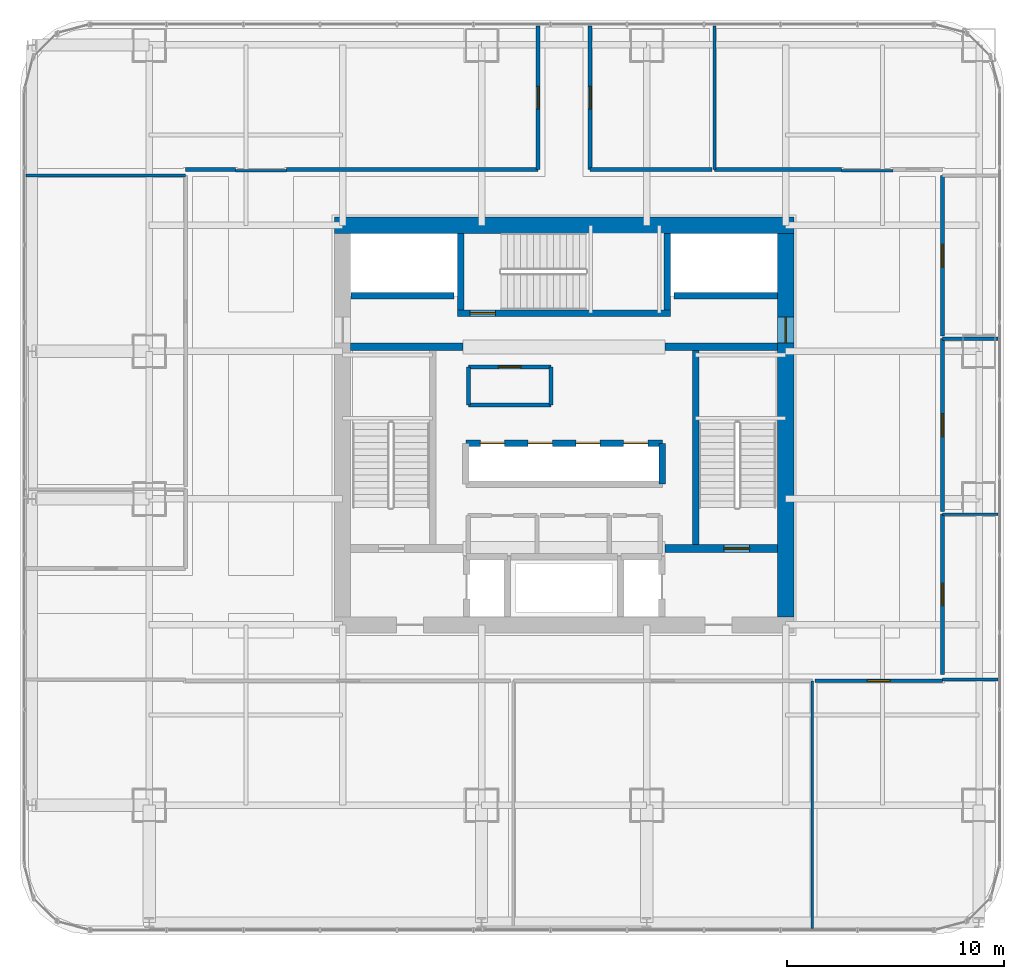
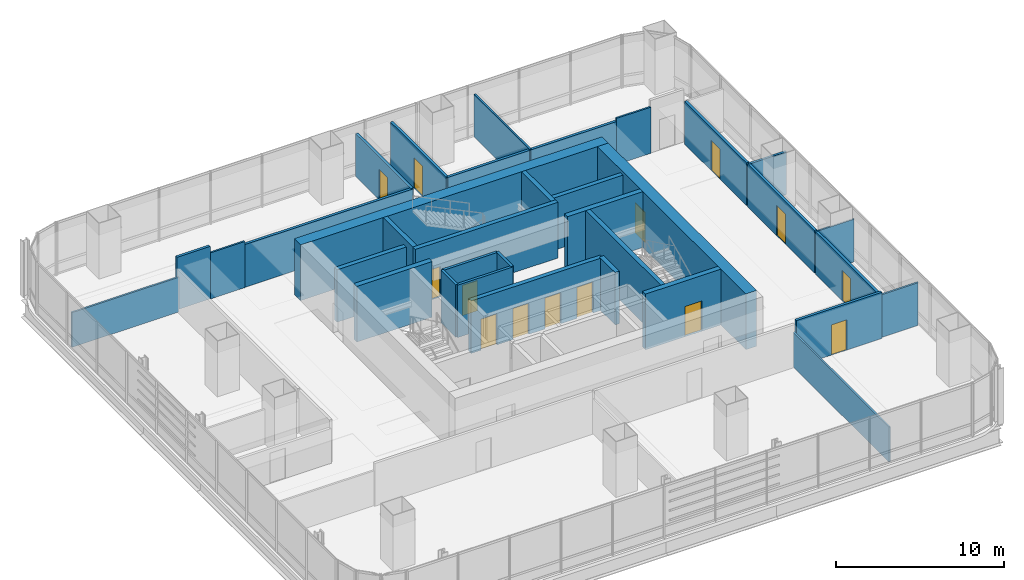
# One storey, part 29 of 36: 35 walls, 14 doors, 14 openings.
"""IFC4 building model written with IfcOpenShell, lengths in metres."""

from ifc_helpers import new_model, si_unit, direction, frame, frame_2d, origin, place, context, subcontext, project, spatial, rectangle, extrude, material, layer, layer_set, type_object, element, fill, save


model = new_model("IFC4")

# Units and contexts
model_context = context("Model", 3, precision=1e-05, world=origin(), true_north=direction((0.0, 1.0)))
body_context = subcontext(model_context, "Body", "Model", "MODEL_VIEW")
ifc_project = project(units=[si_unit("LENGTHUNIT", "METRE"), si_unit("AREAUNIT", "SQUARE_METRE"), si_unit("VOLUMEUNIT", "CUBIC_METRE"), si_unit("PLANEANGLEUNIT", "RADIAN"), si_unit("MASSUNIT", "GRAM", prefix="KILO")], contexts=[model_context])

# Site, building, storey
site_placement = place(None, origin())
site = spatial("IfcSite", under=ifc_project, at=site_placement, CompositionType="ELEMENT")
building_placement = place(site_placement, origin())
building = spatial("IfcBuilding", under=site, at=building_placement, Name="Punatoya Terracotta Tower", CompositionType="ELEMENT")
storey_placement = place(building_placement, frame((0.0, 0.0, 36.300048828125)))
storey = spatial("IfcBuildingStorey", under=building, at=storey_placement, Name="L07", CompositionType="ELEMENT", Elevation=36.300048828125)

# Wall
ifc_material_1 = material(Name="Concrete C60/75", Category="concrete")
ifc_layer_1 = layer(ifc_material_1, 0.75)
ifc_layer_set_1 = layer_set([ifc_layer_1], Name="Concrete C60/75")
wall_type_1 = type_object("IfcWallType", Name="WL-COR-750", PredefinedType="SHEAR", material=ifc_layer_set_1)
wall_1_placement = place(storey_placement, frame((-10.574951171875, 9.199951171875, 0.0), z_axis=(0.0, 0.0, 1.0), x_axis=(1.0, 0.0, 0.0)))
element("IfcWall", 1, at=wall_1_placement, inside=storey, type_object=wall_type_1, Name="L07 Core Shear Wall N", PredefinedType="SHEAR", context=body_context, shape_type="SweptSolid", body=[
    extrude(rectangle(XDim=21.14990234375, YDim=0.75, at=frame_2d((10.574951171875, 0.0))), origin(), (0.0, 0.0, 1.0), 4.050048828125),
])

# Wall, opening, door
wall_2_placement = place(storey_placement, frame((10.199951171875, 8.824951171875, 0.0), z_axis=(0.0, 0.0, 1.0), x_axis=(0.0, -1.0, 0.0)))
wall_2 = element("IfcWall", 2, at=wall_2_placement, inside=storey, type_object=wall_type_1, Name="L07 Core Shear Wall E", PredefinedType="SHEAR", context=body_context, shape_type="SweptSolid", body=[
    extrude(rectangle(XDim=17.64990234375, YDim=0.75, at=frame_2d((8.824951171875, 0.0))), origin(), (0.0, 0.0, 1.0), 4.050048828125),
])
opening_1_placement = place(wall_2_placement, frame((3.85498046875, 0.0, 0.0)))
opening_1 = element("IfcOpeningElement", 3, at=opening_1_placement, cuts=wall_2, Name="Opening SD-01", PredefinedType="OPENING", context=body_context, shape_type="SweptSolid", body=[
    extrude(rectangle(XDim=1.179931640625, YDim=2.199951171875, at=frame_2d((0.58984375, 1.10009765625))), frame((0.0, 0.385009765625, 0.0), z_axis=(0.0, -1.0, 0.0), x_axis=(1.0, 0.0, 0.0)), (0.0, 0.0, 1.0), 0.77001953125),
])
ifc_material_2 = material(Name="Galvanised Steel Pressurized Stair Fire Door", Category="steel")
door_type_1 = type_object("IfcDoorType", Name="DR-STR-1180", OperationType="NOTDEFINED", PredefinedType="DOOR", material=ifc_material_2)
door_1_placement = place(opening_1_placement, origin())
door_1 = element("IfcDoor", 4, at=door_1_placement, inside=storey, type_object=door_type_1, Name="L07 Central Lift Lobby East Fire Door", OperationType="SINGLE_SWING_RIGHT", OverallHeight=2.199951171875, OverallWidth=1.179931640625, PredefinedType="DOOR", context=body_context, shape_type="SweptSolid", body=[
    extrude(rectangle(XDim=1.179931640625, YDim=2.199951171875, at=frame_2d((0.58984375, 1.10009765625))), frame((0.0, 0.02490234375, 0.0), z_axis=(0.0, -1.0, 0.0), x_axis=(1.0, 0.0, 0.0)), (0.0, 0.0, 1.0), 0.050048828125),
])
fill(opening_1, door_1)

# Wall
ifc_material_3 = material(Name="Gypsum Fireboard + Steel Stud", Category="steel")
ifc_layer_2 = layer(ifc_material_3, 0.179931640625)
ifc_layer_set_2 = layer_set([ifc_layer_2], Name="Gypsum Fireboard + Steel Stud")
wall_type_2 = type_object("IfcWallType", Name="WL-CORR-180", PredefinedType="PARTITIONING", material=ifc_layer_set_2)
wall_3_placement = place(storey_placement, frame((-0.60009765625, 0.919921875, 0.0), z_axis=(0.0, 0.0, 1.0), x_axis=(0.0, 1.0, 0.0)))
element("IfcWall", 5, at=wall_3_placement, inside=storey, type_object=wall_type_2, Name="L07 West Core Archive Office Partition 08", PredefinedType="PARTITIONING", context=body_context, shape_type="SweptSolid", body=[
    extrude(rectangle(XDim=1.760009765625, YDim=0.179931640625, at=frame_2d((0.8798828125, 0.0))), origin(), (0.0, 0.0, 1.0), 3.81005859375),
])

# Wall, opening, door
wall_4_placement = place(storey_placement, frame((-0.60009765625, 2.679931640625, 0.0), z_axis=(0.0, 0.0, 1.0), x_axis=(-1.0, 0.0, 0.0)))
wall_4 = element("IfcWall", 6, at=wall_4_placement, inside=storey, type_object=wall_type_2, Name="L07 West Core Archive Office Partition 09", PredefinedType="PARTITIONING", context=body_context, shape_type="SweptSolid", body=[
    extrude(rectangle(XDim=3.7998046875, YDim=0.179931640625, at=frame_2d((1.89990234375, 0.0))), origin(), (0.0, 0.0, 1.0), 3.81005859375),
])
opening_2_placement = place(wall_4_placement, frame((1.375, 0.0, 0.0)))
opening_2 = element("IfcOpeningElement", 7, at=opening_2_placement, cuts=wall_4, Name="Opening OD-01", PredefinedType="OPENING", context=body_context, shape_type="SweptSolid", body=[
    extrude(rectangle(XDim=1.050048828125, YDim=2.199951171875, at=frame_2d((0.52490234375, 1.10009765625))), frame((0.0, 0.099853515625, 0.0), z_axis=(0.0, -1.0, 0.0), x_axis=(1.0, 0.0, 0.0)), (0.0, 0.0, 1.0), 0.199951171875),
])
ifc_material_4 = material(Name="Bengal Teak Solid-Core Leaf")
door_type_2 = type_object("IfcDoorType", Name="DR-OFF-1050", OperationType="NOTDEFINED", PredefinedType="DOOR", material=ifc_material_4)
door_2_placement = place(opening_2_placement, origin())
door_2 = element("IfcDoor", 8, at=door_2_placement, inside=storey, type_object=door_type_2, Name="L07 West Archive Office Door", OperationType="SINGLE_SWING_LEFT", OverallHeight=2.199951171875, OverallWidth=1.050048828125, PredefinedType="DOOR", context=body_context, shape_type="SweptSolid", body=[
    extrude(rectangle(XDim=1.050048828125, YDim=2.199951171875, at=frame_2d((0.52490234375, 1.10009765625))), frame((0.0, 0.02490234375, 0.0), z_axis=(0.0, -1.0, 0.0), x_axis=(1.0, 0.0, 0.0)), (0.0, 0.0, 1.0), 0.050048828125),
])
fill(opening_2, door_2)

# Walls
wall_5_placement = place(storey_placement, frame((-4.39990234375, 2.679931640625, 0.0), z_axis=(0.0, 0.0, 1.0), x_axis=(0.0, -1.0, 0.0)))
element("IfcWall", 9, at=wall_5_placement, inside=storey, type_object=wall_type_2, Name="L07 West Core Archive Office Partition 10", PredefinedType="PARTITIONING", context=body_context, shape_type="SweptSolid", body=[
    extrude(rectangle(XDim=1.760009765625, YDim=0.179931640625, at=frame_2d((0.8798828125, 0.0))), origin(), (0.0, 0.0, 1.0), 3.81005859375),
])
wall_6_placement = place(storey_placement, frame((-4.39990234375, 0.919921875, 0.0), z_axis=(0.0, 0.0, 1.0), x_axis=(1.0, 0.0, 0.0)))
element("IfcWall", 10, at=wall_6_placement, inside=storey, type_object=wall_type_2, Name="L07 West Core Archive Office Partition 11", PredefinedType="PARTITIONING", context=body_context, shape_type="SweptSolid", body=[
    extrude(rectangle(XDim=3.7998046875, YDim=0.179931640625, at=frame_2d((1.89990234375, 0.0))), origin(), (0.0, 0.0, 1.0), 3.81005859375),
])

# Wall, opening, door
wall_7_placement = place(storey_placement, frame((11.550048828125, -11.77001953125, 0.0), z_axis=(0.0, 0.0, 1.0), x_axis=(1.0, 0.0, 0.0)))
wall_7 = element("IfcWall", 11, at=wall_7_placement, inside=storey, type_object=wall_type_2, Name="L07 Open-Plan Project Design Office Partition 18", PredefinedType="PARTITIONING", context=body_context, shape_type="SweptSolid", body=[
    extrude(rectangle(XDim=5.869873046875, YDim=0.179931640625, at=frame_2d((2.93505859375, 0.0))), origin(), (0.0, 0.0, 1.0), 3.35400390625),
])
opening_3_placement = place(wall_7_placement, frame((2.409912109375, 0.0, 0.0)))
opening_3 = element("IfcOpeningElement", 12, at=opening_3_placement, cuts=wall_7, Name="Opening OD-01", PredefinedType="OPENING", context=body_context, shape_type="SweptSolid", body=[
    extrude(rectangle(XDim=1.050048828125, YDim=2.199951171875, at=frame_2d((0.52490234375, 1.10009765625))), frame((0.0, 0.099853515625, 0.0), z_axis=(0.0, -1.0, 0.0), x_axis=(1.0, 0.0, 0.0)), (0.0, 0.0, 1.0), 0.199951171875),
])
door_3_placement = place(opening_3_placement, origin())
door_3 = element("IfcDoor", 13, at=door_3_placement, inside=storey, type_object=door_type_2, Name="L07 Open-Plan Project Design Office Door", OperationType="SINGLE_SWING_RIGHT", OverallHeight=2.199951171875, OverallWidth=1.050048828125, PredefinedType="DOOR", context=body_context, shape_type="SweptSolid", body=[
    extrude(rectangle(XDim=1.050048828125, YDim=2.199951171875, at=frame_2d((0.52490234375, 1.10009765625))), frame((0.0, 0.02490234375, 0.0), z_axis=(0.0, -1.0, 0.0), x_axis=(1.0, 0.0, 0.0)), (0.0, 0.0, 1.0), 0.050048828125),
])
fill(opening_3, door_3)

wall_8_placement = place(storey_placement, frame((17.419921875, -11.489990234375, 0.0), z_axis=(0.0, 0.0, 1.0), x_axis=(0.0, 1.0, 0.0)))
wall_8 = element("IfcWall", 14, at=wall_8_placement, inside=storey, type_object=wall_type_2, Name="L07 Client Strategy Boardroom Partition 20", PredefinedType="PARTITIONING", context=body_context, shape_type="SweptSolid", body=[
    extrude(rectangle(XDim=7.386962890625, YDim=0.179931640625, at=frame_2d((3.693359375, 0.0))), origin(), (0.0, 0.0, 1.0), 3.10400390625),
])
opening_4_placement = place(wall_8_placement, frame((3.18359375, 0.0, 0.0)))
opening_4 = element("IfcOpeningElement", 15, at=opening_4_placement, cuts=wall_8, Name="Opening MD-01", PredefinedType="OPENING", context=body_context, shape_type="SweptSolid", body=[
    extrude(rectangle(XDim=1.02001953125, YDim=2.199951171875, at=frame_2d((0.510009765625, 1.10009765625))), frame((0.0, 0.099853515625, 0.0), z_axis=(0.0, -1.0, 0.0), x_axis=(1.0, 0.0, 0.0)), (0.0, 0.0, 1.0), 0.199951171875),
])
ifc_material_5 = material(Name="Aluminium + Acoustic Glass Leaf", Category="aluminium")
door_type_3 = type_object("IfcDoorType", Name="DR-MTG-1020", OperationType="NOTDEFINED", PredefinedType="DOOR", material=ifc_material_5)
door_4_placement = place(opening_4_placement, origin())
door_4 = element("IfcDoor", 16, at=door_4_placement, inside=storey, type_object=door_type_3, Name="L07 Client Strategy Boardroom Door", OperationType="SINGLE_SWING_LEFT", OverallHeight=2.199951171875, OverallWidth=1.02001953125, PredefinedType="DOOR", context=body_context, shape_type="SweptSolid", body=[
    extrude(rectangle(XDim=1.02001953125, YDim=2.199951171875, at=frame_2d((0.510009765625, 1.10009765625))), frame((0.0, 0.02490234375, 0.0), z_axis=(0.0, -1.0, 0.0), x_axis=(1.0, 0.0, 0.0)), (0.0, 0.0, 1.0), 0.050048828125),
])
fill(opening_4, door_4)

wall_9_placement = place(storey_placement, frame((17.419921875, -3.98291015625, 0.0), z_axis=(0.0, 0.0, 1.0), x_axis=(0.0, 1.0, 0.0)))
wall_9 = element("IfcWall", 17, at=wall_9_placement, inside=storey, type_object=wall_type_2, Name="L07 Open-Plan Staff Tea Pantry Partition 25", PredefinedType="PARTITIONING", context=body_context, shape_type="SweptSolid", body=[
    extrude(rectangle(XDim=7.9658203125, YDim=0.179931640625, at=frame_2d((3.98291015625, 0.0))), origin(), (0.0, 0.0, 1.0), 3.10400390625),
])
opening_5_placement = place(wall_9_placement, frame((3.4580078125, 0.0, 0.0)))
opening_5 = element("IfcOpeningElement", 18, at=opening_5_placement, cuts=wall_9, Name="Opening OD-01", PredefinedType="OPENING", context=body_context, shape_type="SweptSolid", body=[
    extrude(rectangle(XDim=1.050048828125, YDim=2.199951171875, at=frame_2d((0.52490234375, 1.10009765625))), frame((0.0, 0.099853515625, 0.0), z_axis=(0.0, -1.0, 0.0), x_axis=(1.0, 0.0, 0.0)), (0.0, 0.0, 1.0), 0.199951171875),
])
door_5_placement = place(opening_5_placement, origin())
door_5 = element("IfcDoor", 19, at=door_5_placement, inside=storey, type_object=door_type_2, Name="L07 Open-Plan Staff Tea Pantry Door", OperationType="SINGLE_SWING_LEFT", OverallHeight=2.199951171875, OverallWidth=1.050048828125, PredefinedType="DOOR", context=body_context, shape_type="SweptSolid", body=[
    extrude(rectangle(XDim=1.050048828125, YDim=2.199951171875, at=frame_2d((0.52490234375, 1.10009765625))), frame((0.0, 0.02490234375, 0.0), z_axis=(0.0, -1.0, 0.0), x_axis=(1.0, 0.0, 0.0)), (0.0, 0.0, 1.0), 0.050048828125),
])
fill(opening_5, door_5)

wall_10_placement = place(storey_placement, frame((17.419921875, 4.10302734375, 0.0), z_axis=(0.0, 0.0, 1.0), x_axis=(0.0, 1.0, 0.0)))
wall_10 = element("IfcWall", 20, at=wall_10_placement, inside=storey, type_object=wall_type_2, Name="L07 Systems Engineering Office Partition 29", PredefinedType="PARTITIONING", context=body_context, shape_type="SweptSolid", body=[
    extrude(rectangle(XDim=7.386962890625, YDim=0.179931640625, at=frame_2d((3.693359375, 0.0))), origin(), (0.0, 0.0, 1.0), 3.10400390625),
])
opening_6_placement = place(wall_10_placement, frame((3.16845703125, 0.0, 0.0)))
opening_6 = element("IfcOpeningElement", 21, at=opening_6_placement, cuts=wall_10, Name="Opening OD-01", PredefinedType="OPENING", context=body_context, shape_type="SweptSolid", body=[
    extrude(rectangle(XDim=1.050048828125, YDim=2.199951171875, at=frame_2d((0.52490234375, 1.10009765625))), frame((0.0, 0.099853515625, 0.0), z_axis=(0.0, -1.0, 0.0), x_axis=(1.0, 0.0, 0.0)), (0.0, 0.0, 1.0), 0.199951171875),
])
door_6_placement = place(opening_6_placement, origin())
door_6 = element("IfcDoor", 22, at=door_6_placement, inside=storey, type_object=door_type_2, Name="L07 Systems Engineering Office Door", OperationType="SINGLE_SWING_LEFT", OverallHeight=2.199951171875, OverallWidth=1.050048828125, PredefinedType="DOOR", context=body_context, shape_type="SweptSolid", body=[
    extrude(rectangle(XDim=1.050048828125, YDim=2.199951171875, at=frame_2d((0.52490234375, 1.10009765625))), frame((0.0, 0.02490234375, 0.0), z_axis=(0.0, -1.0, 0.0), x_axis=(1.0, 0.0, 0.0)), (0.0, 0.0, 1.0), 0.050048828125),
])
fill(opening_6, door_6)

wall_11_placement = place(storey_placement, frame((-1.199951171875, 18.3701171875, 0.0), z_axis=(0.0, 0.0, 1.0), x_axis=(0.0, -1.0, 0.0)))
wall_11 = element("IfcWall", 23, at=wall_11_placement, inside=storey, type_object=wall_type_2, Name="L07 Quantitative Practice Office Partition 30", PredefinedType="PARTITIONING", context=body_context, shape_type="SweptSolid", body=[
    extrude(rectangle(XDim=6.60009765625, YDim=0.179931640625, at=frame_2d((3.300048828125, 0.0))), origin(), (0.0, 0.0, 1.0), 3.10400390625),
])
opening_7_placement = place(wall_11_placement, frame((2.77490234375, 0.0, 0.0)))
opening_7 = element("IfcOpeningElement", 24, at=opening_7_placement, cuts=wall_11, Name="Opening OD-01", PredefinedType="OPENING", context=body_context, shape_type="SweptSolid", body=[
    extrude(rectangle(XDim=1.050048828125, YDim=2.199951171875, at=frame_2d((0.52490234375, 1.10009765625))), frame((0.0, 0.099853515625, 0.0), z_axis=(0.0, -1.0, 0.0), x_axis=(1.0, 0.0, 0.0)), (0.0, 0.0, 1.0), 0.199951171875),
])
door_7_placement = place(opening_7_placement, origin())
door_7 = element("IfcDoor", 25, at=door_7_placement, inside=storey, type_object=door_type_2, Name="L07 Quantitative Practice Office Door", OperationType="SINGLE_SWING_RIGHT", OverallHeight=2.199951171875, OverallWidth=1.050048828125, PredefinedType="DOOR", context=body_context, shape_type="SweptSolid", body=[
    extrude(rectangle(XDim=1.050048828125, YDim=2.199951171875, at=frame_2d((0.52490234375, 1.10009765625))), frame((0.0, 0.02490234375, 0.0), z_axis=(0.0, -1.0, 0.0), x_axis=(1.0, 0.0, 0.0)), (0.0, 0.0, 1.0), 0.050048828125),
])
fill(opening_7, door_7)

# Walls
wall_12_placement = place(storey_placement, frame((-1.199951171875, 11.77001953125, 0.0), z_axis=(0.0, 0.0, 1.0), x_axis=(-1.0, 0.0, 0.0)))
element("IfcWall", 26, at=wall_12_placement, inside=storey, type_object=wall_type_2, Name="L07 Quantitative Practice Office Partition 31", PredefinedType="PARTITIONING", context=body_context, shape_type="SweptSolid", body=[
    extrude(rectangle(XDim=11.570068359375, YDim=0.179931640625, at=frame_2d((5.78515625, 0.0))), origin(), (0.0, 0.0, 1.0), 3.10400390625),
])
wall_13_placement = place(storey_placement, frame((-15.1298828125, 11.77001953125, 0.0), z_axis=(0.0, 0.0, 1.0), x_axis=(-1.0, 0.0, 0.0)))
element("IfcWall", 27, at=wall_13_placement, inside=storey, type_object=wall_type_2, Name="L07 Quantitative Practice Office Partition 33", PredefinedType="PARTITIONING", context=body_context, shape_type="SweptSolid", body=[
    extrude(rectangle(XDim=2.2900390625, YDim=0.179931640625, at=frame_2d((1.14501953125, 0.0))), origin(), (0.0, 0.0, 1.0), 3.81005859375),
])
wall_14_placement = place(storey_placement, frame((12.77001953125, 11.77001953125, 0.0), z_axis=(0.0, 0.0, 1.0), x_axis=(-1.0, 0.0, 0.0)))
element("IfcWall", 28, at=wall_14_placement, inside=storey, type_object=wall_type_2, Name="L07 Open-Plan Regional Operations Office Partition 36", PredefinedType="PARTITIONING", context=body_context, shape_type="SweptSolid", body=[
    extrude(rectangle(XDim=5.85009765625, YDim=0.179931640625, at=frame_2d((2.925048828125, 0.0))), origin(), (0.0, 0.0, 1.0), 3.10400390625),
])

# Wall, opening, door
wall_15_placement = place(storey_placement, frame((1.199951171875, 11.77001953125, 0.0), z_axis=(0.0, 0.0, 1.0), x_axis=(0.0, 1.0, 0.0)))
wall_15 = element("IfcWall", 29, at=wall_15_placement, inside=storey, type_object=wall_type_2, Name="L07 Open-Plan Global Desk Workplace Partition 38", PredefinedType="PARTITIONING", context=body_context, shape_type="SweptSolid", body=[
    extrude(rectangle(XDim=6.60009765625, YDim=0.179931640625, at=frame_2d((3.300048828125, 0.0))), origin(), (0.0, 0.0, 1.0), 3.10400390625),
])
opening_8_placement = place(wall_15_placement, frame((2.77490234375, 0.0, 0.0)))
opening_8 = element("IfcOpeningElement", 30, at=opening_8_placement, cuts=wall_15, Name="Opening OD-01", PredefinedType="OPENING", context=body_context, shape_type="SweptSolid", body=[
    extrude(rectangle(XDim=1.050048828125, YDim=2.199951171875, at=frame_2d((0.52490234375, 1.10009765625))), frame((0.0, 0.099853515625, 0.0), z_axis=(0.0, -1.0, 0.0), x_axis=(1.0, 0.0, 0.0)), (0.0, 0.0, 1.0), 0.199951171875),
])
door_8_placement = place(opening_8_placement, origin())
door_8 = element("IfcDoor", 31, at=door_8_placement, inside=storey, type_object=door_type_2, Name="L07 Open-Plan Global Desk Workplace Door", OperationType="SINGLE_SWING_RIGHT", OverallHeight=2.199951171875, OverallWidth=1.050048828125, PredefinedType="DOOR", context=body_context, shape_type="SweptSolid", body=[
    extrude(rectangle(XDim=1.050048828125, YDim=2.199951171875, at=frame_2d((0.52490234375, 1.10009765625))), frame((0.0, 0.02490234375, 0.0), z_axis=(0.0, -1.0, 0.0), x_axis=(1.0, 0.0, 0.0)), (0.0, 0.0, 1.0), 0.050048828125),
])
fill(opening_8, door_8)

# Walls
wall_16_placement = place(storey_placement, frame((6.800048828125, 11.77001953125, 0.0), z_axis=(0.0, 0.0, 1.0), x_axis=(-1.0, 0.0, 0.0)))
element("IfcWall", 32, at=wall_16_placement, inside=storey, type_object=wall_type_2, Name="L07 Open-Plan Global Desk Workplace Partition 39", PredefinedType="PARTITIONING", context=body_context, shape_type="SweptSolid", body=[
    extrude(rectangle(XDim=5.60009765625, YDim=0.179931640625, at=frame_2d((2.800048828125, 0.0))), origin(), (0.0, 0.0, 1.0), 3.10400390625),
])
ifc_material_6 = material(Name="Aluminium Framed Acoustic Glass Partition", Category="aluminium")
ifc_layer_3 = layer(ifc_material_6, 0.10009765625)
ifc_layer_set_3 = layer_set([ifc_layer_3], Name="Aluminium Framed Acoustic Glass Partition")
wall_type_3 = type_object("IfcWallType", Name="WL-GLZ-100", PredefinedType="PARTITIONING", material=ifc_layer_set_3)
wall_17_placement = place(storey_placement, frame((17.419921875, -4.10302734375, 0.0), z_axis=(0.0, 0.0, 1.0), x_axis=(1.0, 0.0, 0.0)))
element("IfcWall", 33, at=wall_17_placement, inside=storey, type_object=wall_type_3, Name="L07 Client Strategy Boardroom Partition 19", PredefinedType="PARTITIONING", context=body_context, shape_type="SweptSolid", body=[
    extrude(rectangle(XDim=2.550048828125, YDim=0.10009765625, at=frame_2d((1.27490234375, 0.0))), origin(), (0.0, 0.0, 1.0), 3.10400390625),
])
ifc_material_7 = material(Name="Gypsum Partition + Steel Stud", Category="steel")
ifc_layer_4 = layer(ifc_material_7, 0.1201171875)
ifc_layer_set_4 = layer_set([ifc_layer_4], Name="Gypsum Partition + Steel Stud")
wall_type_4 = type_object("IfcWallType", Name="WL-OFF-120", PredefinedType="PARTITIONING", material=ifc_layer_set_4)
wall_18_placement = place(storey_placement, frame((11.429931640625, -11.77001953125, 0.0), z_axis=(0.0, 0.0, 1.0), x_axis=(0.0, -1.0, 0.0)))
element("IfcWall", 34, at=wall_18_placement, inside=storey, type_object=wall_type_4, Name="L07 Open Workplace Studio Partition 12", PredefinedType="PARTITIONING", context=body_context, shape_type="SweptSolid", body=[
    extrude(rectangle(XDim=11.39990234375, YDim=0.1201171875, at=frame_2d((5.699951171875, 0.0))), origin(), (0.0, 0.0, 1.0), 2.52392578125),
])
wall_19_placement = place(storey_placement, frame((17.419921875, -11.7099609375, 0.0), z_axis=(0.0, 0.0, 1.0), x_axis=(1.0, 0.0, 0.0)))
element("IfcWall", 35, at=wall_19_placement, inside=storey, type_object=wall_type_4, Name="L07 Open-Plan Project Design Office Partition 17", PredefinedType="PARTITIONING", context=body_context, shape_type="SweptSolid", body=[
    extrude(rectangle(XDim=2.550048828125, YDim=0.1201171875, at=frame_2d((1.27490234375, 0.0))), origin(), (0.0, 0.0, 1.0), 3.10400390625),
])
wall_20_placement = place(storey_placement, frame((-24.77001953125, 11.489990234375, 0.0), z_axis=(0.0, 0.0, 1.0), x_axis=(1.0, 0.0, 0.0)))
element("IfcWall", 36, at=wall_20_placement, inside=storey, type_object=wall_type_4, Name="L07 Open-Plan Wellness Quiet Room Partition 26", PredefinedType="PARTITIONING", context=body_context, shape_type="SweptSolid", body=[
    extrude(rectangle(XDim=7.35009765625, YDim=0.1201171875, at=frame_2d((3.675048828125, 0.0))), origin(), (0.0, 0.0, 1.0), 2.52392578125),
])
for number, where, z_axis, x_axis, name in (
    (37, (-12.77001953125, 11.7099609375, 0.0), (0.0, 0.0, 1.0), (-1.0, 0.0, 0.0), "L07 Quantitative Practice Office Partition 32"),
    (38, (15.1298828125, 11.7099609375, 0.0), (0.0, 0.0, 1.0), (-1.0, 0.0, 0.0), "L07 Open-Plan Regional Operations Office Partition 35"),
):
    element("IfcWall", number, at=place(storey_placement, frame(where, z_axis=z_axis, x_axis=x_axis)), inside=storey, type_object=wall_type_4, Name=name, PredefinedType="PARTITIONING", context=body_context, shape_type="SweptSolid", body=[
        extrude(rectangle(XDim=2.35986328125, YDim=0.1201171875, at=frame_2d((1.179931640625, 0.0))), origin(), (0.0, 0.0, 1.0), 3.35400390625),
    ])
wall_21_placement = place(storey_placement, frame((6.919921875, 11.77001953125, 0.0), z_axis=(0.0, 0.0, 1.0), x_axis=(0.0, 1.0, 0.0)))
element("IfcWall", 39, at=wall_21_placement, inside=storey, type_object=wall_type_4, Name="L07 Open-Plan Regional Operations Office Partition 37", PredefinedType="PARTITIONING", context=body_context, shape_type="SweptSolid", body=[
    extrude(rectangle(XDim=6.60009765625, YDim=0.1201171875, at=frame_2d((3.300048828125, 0.0))), origin(), (0.0, 0.0, 1.0), 3.10400390625),
])
ifc_material_8 = material(Name="Concrete C40/50", Category="concrete")
ifc_layer_5 = layer(ifc_material_8, 0.300048828125)
ifc_layer_set_5 = layer_set([ifc_layer_5], Name="Concrete C40/50")
wall_type_5 = type_object("IfcWallType", Name="WL-SHF-300", PredefinedType="SOLIDWALL", material=ifc_layer_set_5)
wall_22_placement = place(storey_placement, frame((6.050048828125, 3.449951171875, 0.0), z_axis=(0.0, 0.0, 1.0), x_axis=(0.0, -1.0, 0.0)))
element("IfcWall", 40, at=wall_22_placement, inside=storey, type_object=wall_type_5, Name="L07 Structural Stair Shaft Wall SW-ST2-W", PredefinedType="SOLIDWALL", context=body_context, shape_type="SweptSolid", body=[
    extrude(rectangle(XDim=8.949951171875, YDim=0.300048828125, at=frame_2d((4.47509765625, 0.0))), origin(), (0.0, 0.0, 1.0), 4.050048828125),
])
for number, where, z_axis, x_axis, name in (
    (41, (-4.75, 5.300048828125, 0.0), (0.0, 0.0, 1.0), (0.0, 1.0, 0.0), "L07 Structural Stair Shaft Wall SW-ST3-W"),
    (42, (4.75, 8.824951171875, 0.0), (0.0, 0.0, 1.0), (0.0, -1.0, 0.0), "L07 Structural Stair Shaft Wall SW-ST3-E"),
):
    element("IfcWall", number, at=place(storey_placement, frame(where, z_axis=z_axis, x_axis=x_axis)), inside=storey, type_object=wall_type_5, Name=name, PredefinedType="SOLIDWALL", context=body_context, shape_type="SweptSolid", body=[
        extrude(rectangle(XDim=3.52490234375, YDim=0.300048828125, at=frame_2d((1.762451171875, 0.0))), origin(), (0.0, 0.0, 1.0), 4.050048828125),
    ])

# Wall, opening, door
wall_23_placement = place(storey_placement, frame((-4.89990234375, 5.14990234375, 0.0), z_axis=(0.0, 0.0, 1.0), x_axis=(1.0, 0.0, 0.0)))
wall_23 = element("IfcWall", 43, at=wall_23_placement, inside=storey, type_object=wall_type_5, Name="L07 Structural Stair Shaft Wall SW-ST3-S", PredefinedType="SOLIDWALL", context=body_context, shape_type="SweptSolid", body=[
    extrude(rectangle(XDim=9.7998046875, YDim=0.300048828125, at=frame_2d((4.89990234375, 0.0))), origin(), (0.0, 0.0, 1.0), 4.050048828125),
])
opening_9_placement = place(wall_23_placement, frame((0.56005859375, 0.0, 0.0)))
opening_9 = element("IfcOpeningElement", 44, at=opening_9_placement, cuts=wall_23, Name="Opening SD-01", PredefinedType="OPENING", context=body_context, shape_type="SweptSolid", body=[
    extrude(rectangle(XDim=1.179931640625, YDim=2.199951171875, at=frame_2d((0.58984375, 1.10009765625))), frame((0.0, 0.159912109375, 0.0), z_axis=(0.0, -1.0, 0.0), x_axis=(1.0, 0.0, 0.0)), (0.0, 0.0, 1.0), 0.320068359375),
])
door_9_placement = place(opening_9_placement, origin())
door_9 = element("IfcDoor", 45, at=door_9_placement, inside=storey, type_object=door_type_1, Name="L07 Stair ST-3 Core Lobby Fire Door", OperationType="SINGLE_SWING_LEFT", OverallHeight=2.199951171875, OverallWidth=1.179931640625, PredefinedType="DOOR", context=body_context, shape_type="SweptSolid", body=[
    extrude(rectangle(XDim=1.179931640625, YDim=2.199951171875, at=frame_2d((0.58984375, 1.10009765625))), frame((0.0, 0.02490234375, 0.0), z_axis=(0.0, -1.0, 0.0), x_axis=(1.0, 0.0, 0.0)), (0.0, 0.0, 1.0), 0.050048828125),
])
fill(opening_9, door_9)

# Wall, openings, doors
wall_24_placement = place(storey_placement, frame((-4.52001953125, -0.840087890625, 0.0), z_axis=(0.0, 0.0, 1.0), x_axis=(1.0, 0.0, 0.0)))
wall_24 = element("IfcWall", 46, at=wall_24_placement, inside=storey, type_object=wall_type_5, Name="L07 South Lift Bank Front Shaft Wall", PredefinedType="SOLIDWALL", context=body_context, shape_type="SweptSolid", body=[
    extrude(rectangle(XDim=9.0400390625, YDim=0.300048828125, at=frame_2d((4.52001953125, 0.0))), origin(), (0.0, 0.0, 1.0), 3.81005859375),
])
opening_10_placement = place(wall_24_placement, frame((0.659912109375, 0.0, 0.0)))
opening_10 = element("IfcOpeningElement", 47, at=opening_10_placement, cuts=wall_24, Name="Opening LD-02", PredefinedType="OPENING", context=body_context, shape_type="SweptSolid", body=[
    extrude(rectangle(XDim=1.1201171875, YDim=2.25, at=frame_2d((0.56005859375, 1.125))), frame((0.0, 0.159912109375, 0.0), z_axis=(0.0, -1.0, 0.0), x_axis=(1.0, 0.0, 0.0)), (0.0, 0.0, 1.0), 0.320068359375),
])
opening_11_placement = place(wall_24_placement, frame((2.860107421875, 0.0, 0.0)))
opening_11 = element("IfcOpeningElement", 48, at=opening_11_placement, cuts=wall_24, Name="Opening LD-02", PredefinedType="OPENING", context=body_context, shape_type="SweptSolid", body=[
    extrude(rectangle(XDim=1.1201171875, YDim=2.25, at=frame_2d((0.56005859375, 1.125))), frame((0.0, 0.159912109375, 0.0), z_axis=(0.0, -1.0, 0.0), x_axis=(1.0, 0.0, 0.0)), (0.0, 0.0, 1.0), 0.320068359375),
])
opening_12_placement = place(wall_24_placement, frame((5.06005859375, 0.0, 0.0)))
opening_12 = element("IfcOpeningElement", 49, at=opening_12_placement, cuts=wall_24, Name="Opening LD-02", PredefinedType="OPENING", context=body_context, shape_type="SweptSolid", body=[
    extrude(rectangle(XDim=1.1201171875, YDim=2.25, at=frame_2d((0.56005859375, 1.125))), frame((0.0, 0.159912109375, 0.0), z_axis=(0.0, -1.0, 0.0), x_axis=(1.0, 0.0, 0.0)), (0.0, 0.0, 1.0), 0.320068359375),
])
opening_13_placement = place(wall_24_placement, frame((7.260009765625, 0.0, 0.0)))
opening_13 = element("IfcOpeningElement", 50, at=opening_13_placement, cuts=wall_24, Name="Opening LD-02", PredefinedType="OPENING", context=body_context, shape_type="SweptSolid", body=[
    extrude(rectangle(XDim=1.1201171875, YDim=2.25, at=frame_2d((0.56005859375, 1.125))), frame((0.0, 0.159912109375, 0.0), z_axis=(0.0, -1.0, 0.0), x_axis=(1.0, 0.0, 0.0)), (0.0, 0.0, 1.0), 0.320068359375),
])
ifc_material_9 = material(Name="Stainless Steel Lift Landing Door", Category="steel")
door_type_4 = type_object("IfcDoorType", Name="DR-LND-1120", OperationType="NOTDEFINED", PredefinedType="DOOR", material=ifc_material_9)
door_10_placement = place(opening_10_placement, origin())
door_10 = element("IfcDoor", 51, at=door_10_placement, inside=storey, type_object=door_type_4, Name="L07 Lift PL-L1 Sliding Landing Door", OperationType="DOUBLE_DOOR_SLIDING", OverallHeight=2.25, OverallWidth=1.1201171875, PredefinedType="DOOR", context=body_context, shape_type="SweptSolid", body=[
    extrude(rectangle(XDim=1.1201171875, YDim=2.25, at=frame_2d((0.56005859375, 1.125))), frame((0.0, 0.02490234375, 0.0), z_axis=(0.0, -1.0, 0.0), x_axis=(1.0, 0.0, 0.0)), (0.0, 0.0, 1.0), 0.050048828125),
])
fill(opening_10, door_10)
door_11_placement = place(opening_11_placement, origin())
door_11 = element("IfcDoor", 52, at=door_11_placement, inside=storey, type_object=door_type_4, Name="L07 Lift PL-L2 Sliding Landing Door", OperationType="DOUBLE_DOOR_SLIDING", OverallHeight=2.25, OverallWidth=1.1201171875, PredefinedType="DOOR", context=body_context, shape_type="SweptSolid", body=[
    extrude(rectangle(XDim=1.1201171875, YDim=2.25, at=frame_2d((0.56005859375, 1.125))), frame((0.0, 0.02490234375, 0.0), z_axis=(0.0, -1.0, 0.0), x_axis=(1.0, 0.0, 0.0)), (0.0, 0.0, 1.0), 0.050048828125),
])
fill(opening_11, door_11)
door_12_placement = place(opening_12_placement, origin())
door_12 = element("IfcDoor", 53, at=door_12_placement, inside=storey, type_object=door_type_4, Name="L07 Lift PL-L3 Sliding Landing Door", OperationType="DOUBLE_DOOR_SLIDING", OverallHeight=2.25, OverallWidth=1.1201171875, PredefinedType="DOOR", context=body_context, shape_type="SweptSolid", body=[
    extrude(rectangle(XDim=1.1201171875, YDim=2.25, at=frame_2d((0.56005859375, 1.125))), frame((0.0, 0.02490234375, 0.0), z_axis=(0.0, -1.0, 0.0), x_axis=(1.0, 0.0, 0.0)), (0.0, 0.0, 1.0), 0.050048828125),
])
fill(opening_12, door_12)
door_13_placement = place(opening_13_placement, origin())
door_13 = element("IfcDoor", 54, at=door_13_placement, inside=storey, type_object=door_type_4, Name="L07 Lift PL-L4 Sliding Landing Door", OperationType="DOUBLE_DOOR_SLIDING", OverallHeight=2.25, OverallWidth=1.1201171875, PredefinedType="DOOR", context=body_context, shape_type="SweptSolid", body=[
    extrude(rectangle(XDim=1.1201171875, YDim=2.25, at=frame_2d((0.56005859375, 1.125))), frame((0.0, 0.02490234375, 0.0), z_axis=(0.0, -1.0, 0.0), x_axis=(1.0, 0.0, 0.0)), (0.0, 0.0, 1.0), 0.050048828125),
])
fill(opening_13, door_13)

# Walls
wall_25_placement = place(storey_placement, frame((4.52001953125, -2.719970703125, 0.0), z_axis=(0.0, 0.0, 1.0), x_axis=(0.0, 1.0, 0.0)))
element("IfcWall", 55, at=wall_25_placement, inside=storey, type_object=wall_type_5, Name="L07 South Lift Bank East End Wall", PredefinedType="SOLIDWALL", context=body_context, shape_type="SweptSolid", body=[
    extrude(rectangle(XDim=1.8798828125, YDim=0.300048828125, at=frame_2d((0.93994140625, 0.0))), origin(), (0.0, 0.0, 1.0), 3.81005859375),
])
for number, where, z_axis, x_axis, name in (
    (56, (-9.820068359375, 5.949951171875, 0.0), (0.0, 0.0, 1.0), (1.0, 0.0, 0.0), "L07 Shuttle SL-1 South Hoistway Wall"),
    (57, (5.06005859375, 5.949951171875, 0.0), (0.0, 0.0, 1.0), (1.0, 0.0, 0.0), "L07 Shuttle SL-2 South Hoistway Wall"),
):
    element("IfcWall", number, at=place(storey_placement, frame(where, z_axis=z_axis, x_axis=x_axis)), inside=storey, type_object=wall_type_5, Name=name, PredefinedType="SOLIDWALL", context=body_context, shape_type="SweptSolid", body=[
        extrude(rectangle(XDim=4.760009765625, YDim=0.300048828125, at=frame_2d((2.3798828125, 0.0))), origin(), (0.0, 0.0, 1.0), 3.81005859375),
    ])

# Wall, opening, door
ifc_material_10 = material(Name="Concrete C50/60", Category="concrete")
ifc_layer_6 = layer(ifc_material_10, 0.35009765625)
ifc_layer_set_6 = layer_set([ifc_layer_6], Name="Concrete C50/60")
wall_type_6 = type_object("IfcWallType", Name="WL-SHF-350", PredefinedType="SOLIDWALL", material=ifc_layer_set_6)
wall_26_placement = place(storey_placement, frame((4.64990234375, -5.679931640625, 0.0), z_axis=(0.0, 0.0, 1.0), x_axis=(1.0, 0.0, 0.0)))
wall_26 = element("IfcWall", 58, at=wall_26_placement, inside=storey, type_object=wall_type_6, Name="L07 Core Web Wall CSW-R", PredefinedType="SOLIDWALL", context=body_context, shape_type="SweptSolid", body=[
    extrude(rectangle(XDim=5.175048828125, YDim=0.35009765625, at=frame_2d((2.58740234375, 0.0))), origin(), (0.0, 0.0, 1.0), 4.050048828125),
])
opening_14_placement = place(wall_26_placement, frame((2.7099609375, 0.0, 0.0)))
opening_14 = element("IfcOpeningElement", 59, at=opening_14_placement, cuts=wall_26, Name="Opening SD-01", PredefinedType="OPENING", context=body_context, shape_type="SweptSolid", body=[
    extrude(rectangle(XDim=1.179931640625, YDim=2.199951171875, at=frame_2d((0.58984375, 1.10009765625))), frame((0.0, 0.18505859375, 0.0), z_axis=(0.0, -1.0, 0.0), x_axis=(1.0, 0.0, 0.0)), (0.0, 0.0, 1.0), 0.3701171875),
])
door_14_placement = place(opening_14_placement, origin())
door_14 = element("IfcDoor", 60, at=door_14_placement, inside=storey, type_object=door_type_1, Name="L07 Stair ST-2 Smokeproof Lobby Fire Door", OperationType="SINGLE_SWING_RIGHT", OverallHeight=2.199951171875, OverallWidth=1.179931640625, PredefinedType="DOOR", context=body_context, shape_type="SweptSolid", body=[
    extrude(rectangle(XDim=1.179931640625, YDim=2.199951171875, at=frame_2d((0.58984375, 1.10009765625))), frame((0.0, 0.02490234375, 0.0), z_axis=(0.0, -1.0, 0.0), x_axis=(1.0, 0.0, 0.0)), (0.0, 0.0, 1.0), 0.050048828125),
])
fill(opening_14, door_14)

# Walls
for number, where, z_axis, x_axis, name in (
    (61, (-9.824951171875, 3.60009765625, 0.0), (0.0, 0.0, 1.0), (1.0, 0.0, 0.0), "L07 Core Web Wall CNW-L"),
    (62, (4.64990234375, 3.60009765625, 0.0), (0.0, 0.0, 1.0), (1.0, 0.0, 0.0), "L07 Core Web Wall CNW-R"),
):
    element("IfcWall", number, at=place(storey_placement, frame(where, z_axis=z_axis, x_axis=x_axis)), inside=storey, type_object=wall_type_6, Name=name, PredefinedType="SOLIDWALL", context=body_context, shape_type="SweptSolid", body=[
        extrude(rectangle(XDim=5.175048828125, YDim=0.35009765625, at=frame_2d((2.58740234375, 0.0))), origin(), (0.0, 0.0, 1.0), 4.050048828125),
    ])
ifc_material_11 = material(Name="Masonry Blockwork + Ceramic Tile", Category="masonry")
ifc_layer_7 = layer(ifc_material_11, 0.159912109375)
ifc_layer_set_7 = layer_set([ifc_layer_7], Name="Masonry Blockwork + Ceramic Tile")
wall_type_7 = type_object("IfcWallType", Name="WL-WET-160", PredefinedType="PARTITIONING", material=ifc_layer_set_7)
wall_27_placement = place(storey_placement, frame((17.419921875, 3.98291015625, 0.0), z_axis=(0.0, 0.0, 1.0), x_axis=(1.0, 0.0, 0.0)))
element("IfcWall", 63, at=wall_27_placement, inside=storey, type_object=wall_type_7, Name="L07 Open-Plan Staff Tea Pantry Partition 24", PredefinedType="PARTITIONING", context=body_context, shape_type="SweptSolid", body=[
    extrude(rectangle(XDim=2.550048828125, YDim=0.159912109375, at=frame_2d((1.27490234375, 0.0))), origin(), (0.0, 0.0, 1.0), 3.10400390625),
])

save(model, "model.ifc")
